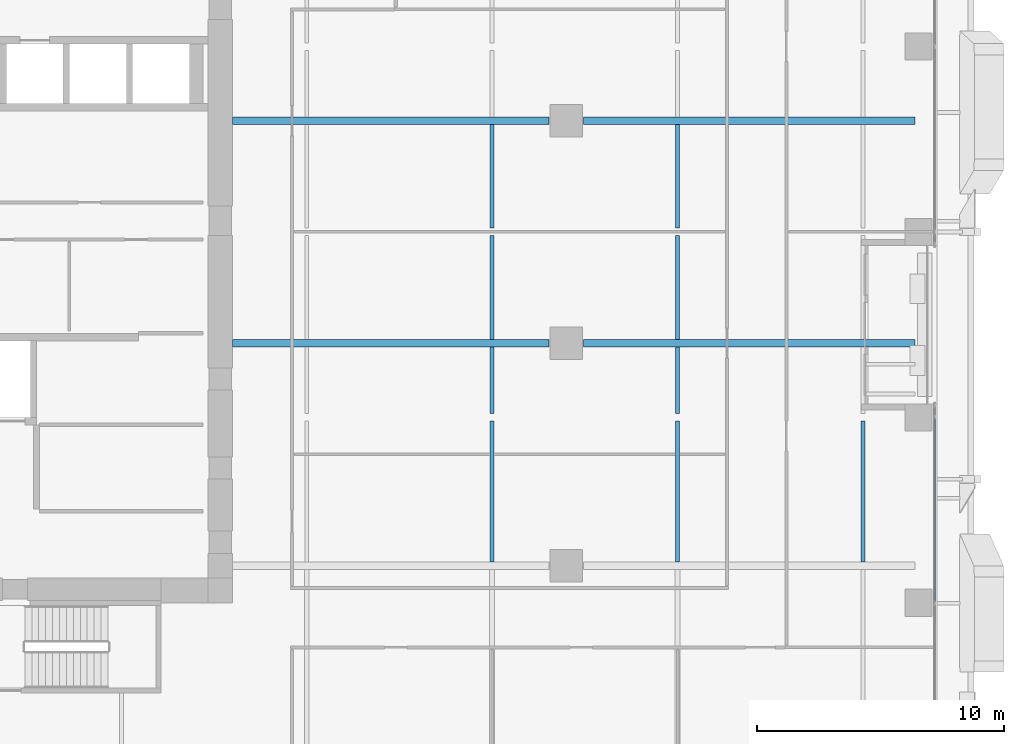
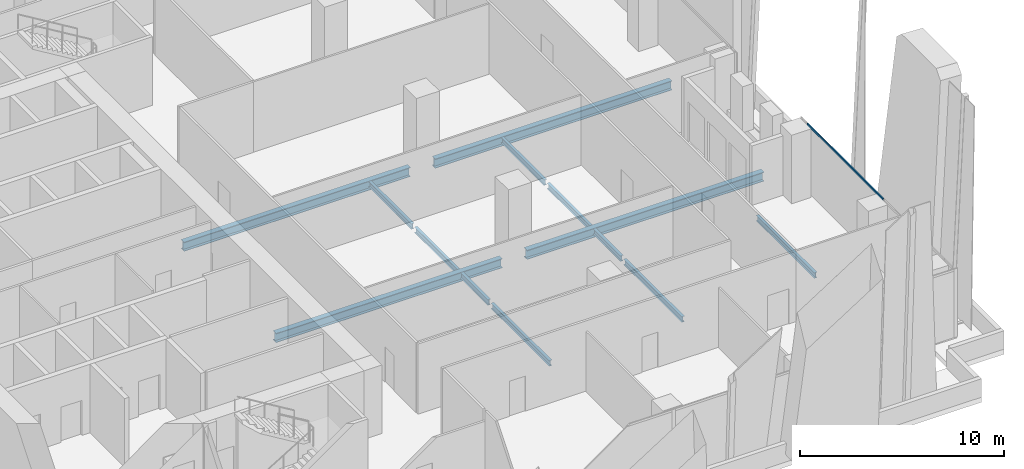
# One storey, part 10 of 37: 13 beams, 1 member, 1 element without a shape of its own.
"""IFC4 building model written with IfcOpenShell, lengths in metres."""

from ifc_helpers import new_model, si_unit, direction, frame, origin, origin_2d, place, context, subcontext, project, spatial, hollow_rectangle, i_section, extrude, source, transform, mapped, material, material_profile, profile_set, type_object, element, aggregate, save


model = new_model("IFC4")

# Units and contexts
model_context = context("Model", 3, precision=1e-05, world=origin(), true_north=direction((0.0, 1.0)))
body_context = subcontext(model_context, "Body", "Model", "MODEL_VIEW")
ifc_project = project(units=[si_unit("LENGTHUNIT", "METRE"), si_unit("AREAUNIT", "SQUARE_METRE"), si_unit("VOLUMEUNIT", "CUBIC_METRE"), si_unit("PLANEANGLEUNIT", "RADIAN"), si_unit("MASSUNIT", "GRAM", prefix="KILO")], contexts=[model_context])

# Site, building, storey
site_placement = place(None, origin())
site = spatial("IfcSite", under=ifc_project, at=site_placement, CompositionType="ELEMENT")
building_placement = place(site_placement, origin())
building = spatial("IfcBuilding", under=site, at=building_placement, Name="Khomas Fold Tower", CompositionType="ELEMENT")
storey_placement = place(building_placement, frame((0.0, 0.0, 101.5)))
storey = spatial("IfcBuildingStorey", under=building, at=storey_placement, Name="L21", CompositionType="ELEMENT", Elevation=101.5)

# Beams
ifc_material_1 = material(Name="Steel S355", Category="steel")
ifc_material_profile_1 = material_profile(ifc_material_1, i_section(OverallWidth=0.300048828125, OverallDepth=0.550048828125, WebThickness=0.014892578125, FlangeThickness=0.029052734375, at=origin_2d()), Name="HE 550 B")
ifc_profile_set_1 = profile_set([ifc_material_profile_1], Name="Steel S355")
beam_type_1 = type_object("IfcBeamType", Name="HE 550 B beam GB4", PredefinedType="BEAM", material=ifc_profile_set_1)
shared_shape_1 = source(origin(), body_context, "Body", "SweptSolid", [
    extrude(i_section(OverallWidth=0.300048828125, OverallDepth=0.550048828125, WebThickness=0.014892578125, FlangeThickness=0.029052734375, at=origin_2d()), origin(), (0.0, 0.0, 1.0), 12.800048828125),
])
for number, where, z_axis, x_axis, name in (
    (1, (24.0, 22.5, -0.574951171875), (1.0, 0.0, 0.0), (0.0, 1.0, 0.0), "GB4"),
    (2, (24.0, 31.5, -0.574951171875), (1.0, 0.0, 0.0), (0.0, 1.0, 0.0), "GB4"),
):
    element("IfcBeam", number, at=place(storey_placement, frame(where, z_axis=z_axis, x_axis=x_axis)), inside=storey, type_object=beam_type_1, Name=name, PredefinedType="BEAM", context=body_context, shape_type="MappedRepresentation", body=[
        mapped(shared_shape_1, transform((0.0, 0.0, 0.0))),
    ])
shared_shape_2 = source(origin(), body_context, "Body", "SweptSolid", [
    extrude(i_section(OverallWidth=0.300048828125, OverallDepth=0.550048828125, WebThickness=0.014892578125, FlangeThickness=0.029052734375, at=origin_2d()), origin(), (0.0, 0.0, 1.0), 13.400146484375),
])
for number, where, z_axis, x_axis, name in (
    (3, (38.199951171875, 22.5, -0.574951171875), (1.0, 0.0, 0.0), (0.0, 1.0, 0.0), "GB4"),
    (4, (38.199951171875, 31.5, -0.574951171875), (1.0, 0.0, 0.0), (0.0, 1.0, 0.0), "GB4"),
):
    element("IfcBeam", number, at=place(storey_placement, frame(where, z_axis=z_axis, x_axis=x_axis)), inside=storey, type_object=beam_type_1, Name=name, PredefinedType="BEAM", context=body_context, shape_type="MappedRepresentation", body=[
        mapped(shared_shape_2, transform((0.0, 0.0, 0.0))),
    ])
ifc_material_2 = material(Name="Steel S355", Category="steel")
ifc_material_profile_2 = material_profile(ifc_material_2, i_section(OverallWidth=0.159912109375, OverallDepth=0.330078125, WebThickness=0.007568359375, FlangeThickness=0.011474609375, at=origin_2d()), Name="IPE 330")
ifc_profile_set_2 = profile_set([ifc_material_profile_2], Name="Steel S355")
beam_type_2 = type_object("IfcBeamType", Name="IPE 330 beam JB1", PredefinedType="BEAM", material=ifc_profile_set_2)
shared_shape_3 = source(origin(), body_context, "Body", "SweptSolid", [
    extrude(i_section(OverallWidth=0.159912109375, OverallDepth=0.330078125, WebThickness=0.007568359375, FlangeThickness=0.011474609375, at=origin_2d()), origin(), (0.0, 0.0, 1.0), 5.698486328125),
])
for number, where, z_axis, x_axis, name in (
    (5, (34.5, 13.64990234375, -0.465087890625), (0.0, 1.0, 0.0), (-1.0, 0.0, 0.0), "JB1"),
    (6, (42.0, 13.64990234375, -0.465087890625), (0.0, 1.0, 0.0), (-1.0, 0.0, 0.0), "JB1"),
    (7, (49.5, 13.64990234375, -0.465087890625), (0.0, 1.0, 0.0), (-1.0, 0.0, 0.0), "JB1"),
):
    element("IfcBeam", number, at=place(storey_placement, frame(where, z_axis=z_axis, x_axis=x_axis)), inside=storey, type_object=beam_type_2, Name=name, PredefinedType="BEAM", context=body_context, shape_type="MappedRepresentation", body=[
        mapped(shared_shape_3, transform((0.0, 0.0, 0.0))),
    ])
shared_shape_4 = source(origin(), body_context, "Body", "SweptSolid", [
    extrude(i_section(OverallWidth=0.159912109375, OverallDepth=0.330078125, WebThickness=0.007568359375, FlangeThickness=0.011474609375, at=origin_2d()), origin(), (0.0, 0.0, 1.0), 2.698486328125),
])
for number, where, z_axis, x_axis, name in (
    (8, (34.5, 19.651611328125, -0.465087890625), (0.0, 1.0, 0.0), (-1.0, 0.0, 0.0), "JB1"),
    (9, (42.0, 19.651611328125, -0.465087890625), (0.0, 1.0, 0.0), (-1.0, 0.0, 0.0), "JB1"),
):
    element("IfcBeam", number, at=place(storey_placement, frame(where, z_axis=z_axis, x_axis=x_axis)), inside=storey, type_object=beam_type_2, Name=name, PredefinedType="BEAM", context=body_context, shape_type="MappedRepresentation", body=[
        mapped(shared_shape_4, transform((0.0, 0.0, 0.0))),
    ])
shared_shape_5 = source(origin(), body_context, "Body", "SweptSolid", [
    extrude(i_section(OverallWidth=0.159912109375, OverallDepth=0.330078125, WebThickness=0.007568359375, FlangeThickness=0.011474609375, at=origin_2d()), origin(), (0.0, 0.0, 1.0), 4.198486328125),
])
for number, where, z_axis, x_axis, name in (
    (10, (34.5, 22.64990234375, -0.465087890625), (0.0, 1.0, 0.0), (-1.0, 0.0, 0.0), "JB1"),
    (11, (34.5, 27.151611328125, -0.465087890625), (0.0, 1.0, 0.0), (-1.0, 0.0, 0.0), "JB1"),
    (12, (42.0, 22.64990234375, -0.465087890625), (0.0, 1.0, 0.0), (-1.0, 0.0, 0.0), "JB1"),
    (13, (42.0, 27.151611328125, -0.465087890625), (0.0, 1.0, 0.0), (-1.0, 0.0, 0.0), "JB1"),
):
    element("IfcBeam", number, at=place(storey_placement, frame(where, z_axis=z_axis, x_axis=x_axis)), inside=storey, type_object=beam_type_2, Name=name, PredefinedType="BEAM", context=body_context, shape_type="MappedRepresentation", body=[
        mapped(shared_shape_5, transform((0.0, 0.0, 0.0))),
    ])

# Curtain wall, member
ifc_material_3 = material(Name="Aluminium framed double glazing", Category="aluminium")
curtain_wall_type = type_object("IfcCurtainWallType", Name="SK-Unitised clear-glass wall, growing floors CW1", PredefinedType="NOTDEFINED", material=ifc_material_3)
curtain_wall_placement = place(storey_placement, origin())
curtain_wall = element("IfcCurtainWall", 14, at=curtain_wall_placement, inside=storey, type_object=curtain_wall_type, Name="CW1 run L21 03-0", PredefinedType="NOTDEFINED")
ifc_material_4 = material(Name="Aluminium", Category="aluminium")
ifc_material_profile_3 = material_profile(ifc_material_4, hollow_rectangle(XDim=0.06005859375, YDim=0.1201171875, WallThickness=0.00390625, at=origin_2d()), Name="SK-Unitised clear-glass wall, growing floors transom CW1-T")
ifc_profile_set_3 = profile_set([ifc_material_profile_3], Name="Aluminium")
member_type = type_object("IfcMemberType", Name="SK-Unitised clear-glass wall, growing floors transom CW1-T", PredefinedType="USERDEFINED", material=ifc_profile_set_3)
shared_shape_6 = source(origin(), body_context, "Body", "SweptSolid", [
    extrude(hollow_rectangle(XDim=0.06005859375, YDim=0.1201171875, WallThickness=0.00390625, at=origin_2d()), origin(), (0.0, 0.0, 1.0), 7.43994140625),
])
member_placement = place(storey_placement, frame((52.39990234375, 12.030029296875, 4.0400390625), z_axis=(0.0, 1.0, 0.0), x_axis=(-1.0, 0.0, 0.0)))
member = element("IfcMember", 15, at=member_placement, type_object=member_type, Name="CW1 transom 3", ObjectType="TRANSOM", PredefinedType="USERDEFINED", context=body_context, shape_type="MappedRepresentation", body=[
    mapped(shared_shape_6, transform((0.0, 0.0, 0.0))),
])
aggregate(curtain_wall, [member])

save(model, "model.ifc")
